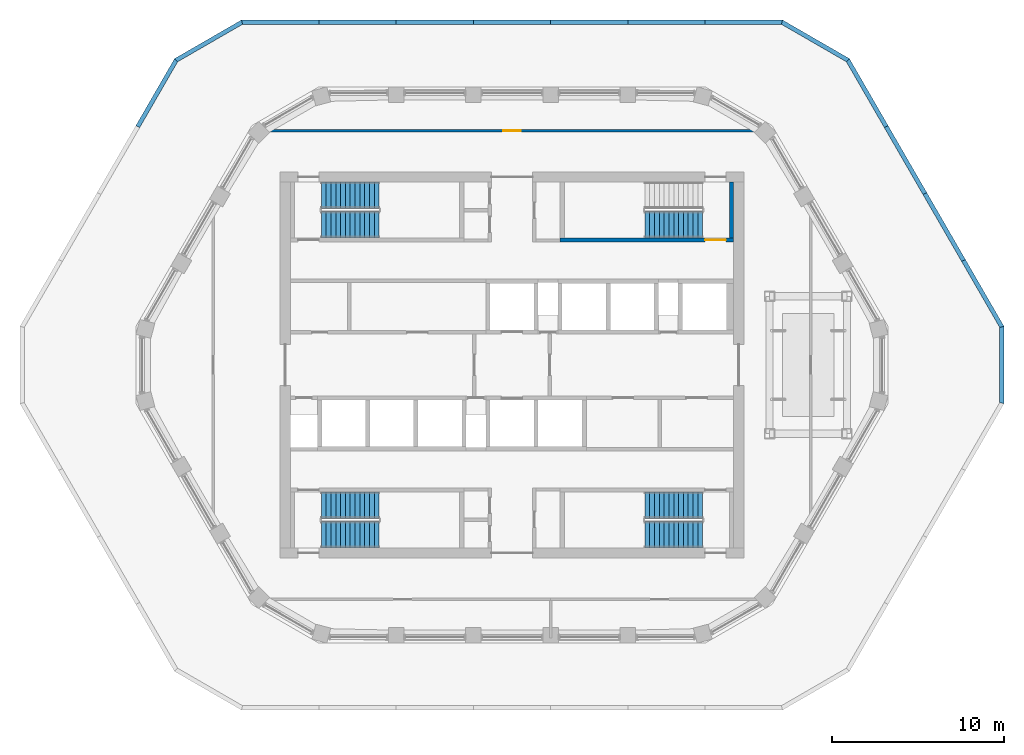
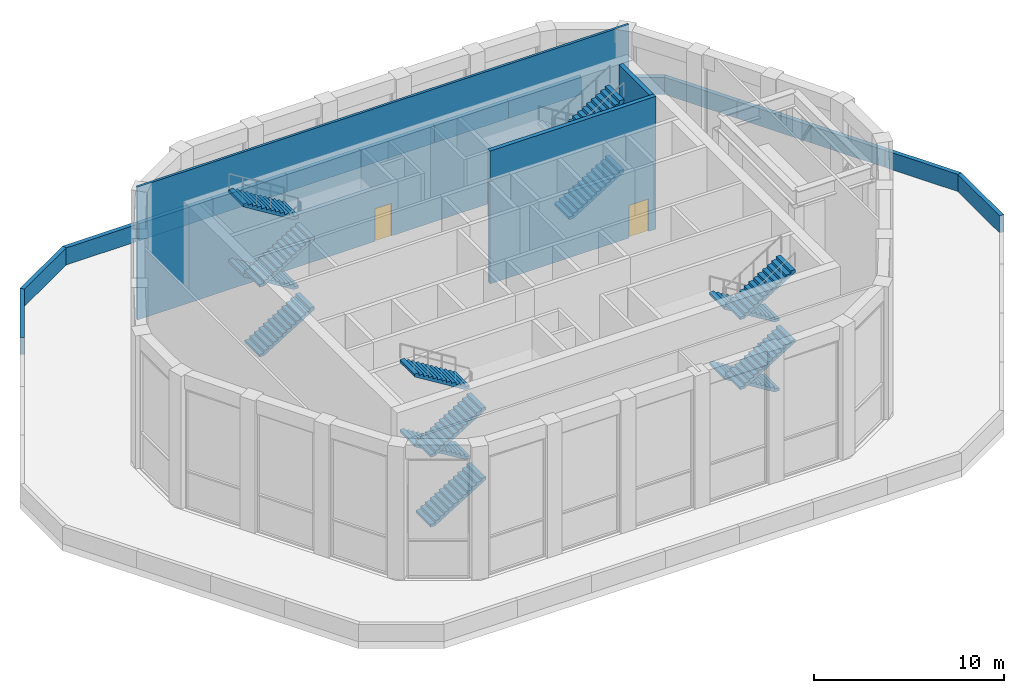
# One storey, part 8 of 11: 18 walls, 14 stair flights, 2 doors, 2 openings, 4 elements without a shape of their own.
"""IFC4 building model written with IfcOpenShell, lengths in metres."""

from ifc_helpers import new_model, si_unit, direction, frame, frame_2d, origin, place, context, subcontext, project, spatial, polyline, rectangle, outline, extrude, material, layer, layer_set, type_object, element, fill, aggregate, save


model = new_model("IFC4")

# Units and contexts
model_context = context("Model", 3, precision=1e-05, world=origin(), true_north=direction((0.0, 1.0)))
body_context = subcontext(model_context, "Body", "Model", "MODEL_VIEW")
ifc_project = project(units=[si_unit("LENGTHUNIT", "METRE"), si_unit("AREAUNIT", "SQUARE_METRE"), si_unit("VOLUMEUNIT", "CUBIC_METRE"), si_unit("PLANEANGLEUNIT", "RADIAN"), si_unit("MASSUNIT", "GRAM", prefix="KILO")], contexts=[model_context])

# Site, building, storey
site_placement = place(None, origin())
site = spatial("IfcSite", under=ifc_project, at=site_placement, CompositionType="ELEMENT")
building_placement = place(site_placement, origin())
building = spatial("IfcBuilding", under=site, at=building_placement, Name="Dhurran Vertical Campus", CompositionType="ELEMENT")
storey_placement = place(building_placement, frame((0.0, 0.0, 309.89990234375)))
storey = spatial("IfcBuildingStorey", under=building, at=storey_placement, Name="L77 Damper Plant", CompositionType="ELEMENT", Elevation=309.89990234375)

# Walls
ifc_material_1 = material(Name="Precast concrete C50/60", Category="concrete")
ifc_layer_1 = layer(ifc_material_1, 0.25)
ifc_layer_set_1 = layer_set([ifc_layer_1], Name="Precast concrete C50/60")
wall_type_1 = type_object("IfcWallType", Name="Precast parapet 250", PredefinedType="PARAPET", material=ifc_layer_set_1)
wall_1_placement = place(storey_placement, origin())
element("IfcWall", 1, at=wall_1_placement, inside=storey, type_object=wall_type_1, Name="PW1 L77.12", PredefinedType="PARAPET", context=body_context, shape_type="SweptSolid", body=[
    extrude(outline(polyline([(28.647216796875, -2.25), (28.647216796875, 2.25), (28.397216796875, 2.18310546875), (28.397216796875, -2.18310546875), (28.647216796875, -2.25)])), origin(), (0.0, 0.0, 1.0), 1.10009765625),
])
wall_2_placement = place(storey_placement, origin())
element("IfcWall", 2, at=wall_2_placement, inside=storey, type_object=wall_type_1, Name="PW1 L77.13", PredefinedType="PARAPET", context=body_context, shape_type="SweptSolid", body=[
    extrude(outline(polyline([(28.647216796875, 2.25), (26.397216796875, 6.147216796875), (26.1806640625, 6.022216796875), (28.397216796875, 2.18310546875), (28.647216796875, 2.25)])), origin(), (0.0, 0.0, 1.0), 1.10009765625),
])
wall_3_placement = place(storey_placement, origin())
element("IfcWall", 3, at=wall_3_placement, inside=storey, type_object=wall_type_1, Name="PW1 L77.14", PredefinedType="PARAPET", context=body_context, shape_type="SweptSolid", body=[
    extrude(outline(polyline([(26.397216796875, 6.147216796875), (24.147216796875, 10.044189453125), (23.9306640625, 9.919189453125), (26.1806640625, 6.022216796875), (26.397216796875, 6.147216796875)])), origin(), (0.0, 0.0, 1.0), 1.10009765625),
])
wall_4_placement = place(storey_placement, origin())
element("IfcWall", 4, at=wall_4_placement, inside=storey, type_object=wall_type_1, Name="PW1 L77.15", PredefinedType="PARAPET", context=body_context, shape_type="SweptSolid", body=[
    extrude(outline(polyline([(24.147216796875, 10.044189453125), (21.897216796875, 13.94140625), (21.6806640625, 13.81640625), (23.9306640625, 9.919189453125), (24.147216796875, 10.044189453125)])), origin(), (0.0, 0.0, 1.0), 1.10009765625),
])
wall_5_placement = place(storey_placement, origin())
element("IfcWall", 5, at=wall_5_placement, inside=storey, type_object=wall_type_1, Name="PW1 L77.16", PredefinedType="PARAPET", context=body_context, shape_type="SweptSolid", body=[
    extrude(outline(polyline([(21.897216796875, 13.94140625), (19.647216796875, 17.83837890625), (19.464111328125, 17.655517578125), (21.6806640625, 13.81640625), (21.897216796875, 13.94140625)])), origin(), (0.0, 0.0, 1.0), 1.10009765625),
])
wall_6_placement = place(storey_placement, origin())
element("IfcWall", 6, at=wall_6_placement, inside=storey, type_object=wall_type_1, Name="PW1 L77.17", PredefinedType="PARAPET", context=body_context, shape_type="SweptSolid", body=[
    extrude(outline(polyline([(19.647216796875, 17.83837890625), (15.75, 20.08837890625), (15.68310546875, 19.83837890625), (19.464111328125, 17.655517578125), (19.647216796875, 17.83837890625)])), origin(), (0.0, 0.0, 1.0), 1.10009765625),
])
wall_7_placement = place(storey_placement, origin())
element("IfcWall", 7, at=wall_7_placement, inside=storey, type_object=wall_type_1, Name="PW1 L77.18", PredefinedType="PARAPET", context=body_context, shape_type="SweptSolid", body=[
    extrude(outline(polyline([(15.75, 20.08837890625), (11.25, 20.08837890625), (11.25, 19.83837890625), (15.68310546875, 19.83837890625), (15.75, 20.08837890625)])), origin(), (0.0, 0.0, 1.0), 1.10009765625),
])
wall_8_placement = place(storey_placement, origin())
element("IfcWall", 8, at=wall_8_placement, inside=storey, type_object=wall_type_1, Name="PW1 L77.19", PredefinedType="PARAPET", context=body_context, shape_type="SweptSolid", body=[
    extrude(outline(polyline([(11.25, 20.08837890625), (6.75, 20.08837890625), (6.75, 19.83837890625), (11.25, 19.83837890625), (11.25, 20.08837890625)])), origin(), (0.0, 0.0, 1.0), 1.10009765625),
])
wall_9_placement = place(storey_placement, origin())
element("IfcWall", 9, at=wall_9_placement, inside=storey, type_object=wall_type_1, Name="PW1 L77.20", PredefinedType="PARAPET", context=body_context, shape_type="SweptSolid", body=[
    extrude(outline(polyline([(6.75, 20.08837890625), (2.25, 20.08837890625), (2.25, 19.83837890625), (6.75, 19.83837890625), (6.75, 20.08837890625)])), origin(), (0.0, 0.0, 1.0), 1.10009765625),
])
wall_10_placement = place(storey_placement, origin())
element("IfcWall", 10, at=wall_10_placement, inside=storey, type_object=wall_type_1, Name="PW1 L77.21", PredefinedType="PARAPET", context=body_context, shape_type="SweptSolid", body=[
    extrude(outline(polyline([(2.25, 20.08837890625), (-2.25, 20.08837890625), (-2.25, 19.83837890625), (2.25, 19.83837890625), (2.25, 20.08837890625)])), origin(), (0.0, 0.0, 1.0), 1.10009765625),
])
wall_11_placement = place(storey_placement, origin())
element("IfcWall", 11, at=wall_11_placement, inside=storey, type_object=wall_type_1, Name="PW1 L77.22", PredefinedType="PARAPET", context=body_context, shape_type="SweptSolid", body=[
    extrude(outline(polyline([(-2.25, 20.08837890625), (-6.75, 20.08837890625), (-6.75, 19.83837890625), (-2.25, 19.83837890625), (-2.25, 20.08837890625)])), origin(), (0.0, 0.0, 1.0), 1.10009765625),
])
wall_12_placement = place(storey_placement, origin())
element("IfcWall", 12, at=wall_12_placement, inside=storey, type_object=wall_type_1, Name="PW1 L77.23", PredefinedType="PARAPET", context=body_context, shape_type="SweptSolid", body=[
    extrude(outline(polyline([(-6.75, 20.08837890625), (-11.25, 20.08837890625), (-11.25, 19.83837890625), (-6.75, 19.83837890625), (-6.75, 20.08837890625)])), origin(), (0.0, 0.0, 1.0), 1.10009765625),
])
wall_13_placement = place(storey_placement, origin())
element("IfcWall", 13, at=wall_13_placement, inside=storey, type_object=wall_type_1, Name="PW1 L77.24", PredefinedType="PARAPET", context=body_context, shape_type="SweptSolid", body=[
    extrude(outline(polyline([(-11.25, 20.08837890625), (-15.75, 20.08837890625), (-15.68310546875, 19.83837890625), (-11.25, 19.83837890625), (-11.25, 20.08837890625)])), origin(), (0.0, 0.0, 1.0), 1.10009765625),
])
wall_14_placement = place(storey_placement, origin())
element("IfcWall", 14, at=wall_14_placement, inside=storey, type_object=wall_type_1, Name="PW1 L77.25", PredefinedType="PARAPET", context=body_context, shape_type="SweptSolid", body=[
    extrude(outline(polyline([(-15.75, 20.08837890625), (-19.647216796875, 17.83837890625), (-19.464111328125, 17.655517578125), (-15.68310546875, 19.83837890625), (-15.75, 20.08837890625)])), origin(), (0.0, 0.0, 1.0), 1.10009765625),
])
wall_15_placement = place(storey_placement, origin())
element("IfcWall", 15, at=wall_15_placement, inside=storey, type_object=wall_type_1, Name="PW1 L77.26", PredefinedType="PARAPET", context=body_context, shape_type="SweptSolid", body=[
    extrude(outline(polyline([(-19.647216796875, 17.83837890625), (-21.897216796875, 13.94140625), (-21.6806640625, 13.81640625), (-19.464111328125, 17.655517578125), (-19.647216796875, 17.83837890625)])), origin(), (0.0, 0.0, 1.0), 1.10009765625),
])

# Wall, opening, door
ifc_material_2 = material(Name="Concrete C40/50", Category="concrete")
ifc_layer_2 = layer(ifc_material_2, 0.25)
ifc_layer_set_2 = layer_set([ifc_layer_2], Name="Concrete C40/50")
wall_type_2 = type_object("IfcWallType", Name="co-STAIR-WALL-250", PredefinedType="SHEAR", material=ifc_layer_set_2)
wall_16_placement = place(storey_placement, frame((2.800048828125, 7.27490234375, 0.0), z_axis=(0.0, 0.0, 1.0), x_axis=(1.0, 0.0, 0.0)))
wall_16 = element("IfcWall", 16, at=wall_16_placement, inside=storey, type_object=wall_type_2, Name="Stair ST2 enclosure wall L77", PredefinedType="SHEAR", context=body_context, shape_type="SweptSolid", body=[
    extrude(rectangle(XDim=10.099853515625, YDim=0.25, at=frame_2d((5.0498046875, 0.0))), origin(), (0.0, 0.0, 1.0), 8.550048828125),
])
opening_1_placement = place(wall_16_placement, frame((8.449951171875, 0.0, 0.0)))
opening_1 = element("IfcOpeningElement", 17, at=opening_1_placement, cuts=wall_16, Name="Opening SD2", PredefinedType="OPENING", context=body_context, shape_type="SweptSolid", body=[
    extrude(rectangle(XDim=1.199951171875, YDim=2.10009765625, at=frame_2d((0.60009765625, 1.050048828125))), frame((0.0, 0.135009765625, 0.0), z_axis=(0.0, -1.0, 0.0), x_axis=(1.0, 0.0, 0.0)), (0.0, 0.0, 1.0), 0.27001953125),
])
ifc_material_3 = material(Name="Fire-rated steel door set", Category="steel")
door_type_1 = type_object("IfcDoorType", Name="co-D-STAIR 1200x2100", OperationType="SINGLE_SWING_LEFT", PredefinedType="DOOR", material=ifc_material_3)
door_1_placement = place(opening_1_placement, origin())
door_1 = element("IfcDoor", 18, at=door_1_placement, inside=storey, type_object=door_type_1, Name="Stair ST2 door L77", OperationType="SINGLE_SWING_LEFT", OverallHeight=2.10009765625, OverallWidth=1.199951171875, PredefinedType="DOOR", context=body_context, shape_type="SweptSolid", body=[
    extrude(rectangle(XDim=1.199951171875, YDim=2.10009765625, at=frame_2d((0.60009765625, 1.050048828125))), frame((0.0, 0.02490234375, 0.0), z_axis=(0.0, -1.0, 0.0), x_axis=(1.0, 0.0, 0.0)), (0.0, 0.0, 1.0), 0.050048828125),
])
fill(opening_1, door_1)

# Wall
wall_17_placement = place(storey_placement, frame((12.77490234375, 7.39990234375, 0.0), z_axis=(0.0, 0.0, 1.0), x_axis=(0.0, 1.0, 0.0)))
element("IfcWall", 19, at=wall_17_placement, inside=storey, type_object=wall_type_2, Name="Stair ST2 enclosure wall L77", PredefinedType="SHEAR", context=body_context, shape_type="SweptSolid", body=[
    extrude(rectangle(XDim=3.25, YDim=0.25, at=frame_2d((1.625, 0.0))), origin(), (0.0, 0.0, 1.0), 8.550048828125),
])

# Wall, opening, door
ifc_material_4 = material(Name="Gypsum board corridor wall on steel studs", Category="steel")
ifc_layer_3 = layer(ifc_material_4, 0.14990234375)
ifc_layer_set_3 = layer_set([ifc_layer_3], Name="Gypsum board corridor wall on steel studs")
wall_type_3 = type_object("IfcWallType", Name="fl-CW-150 corridor wall", PredefinedType="PARTITIONING", material=ifc_layer_set_3)
wall_18_placement = place(storey_placement, frame((14.968994140625, 13.64990234375, 0.0), z_axis=(0.0, 0.0, 1.0), x_axis=(-1.0, 0.0, 0.0)))
wall_18 = element("IfcWall", 20, at=wall_18_placement, inside=storey, type_object=wall_type_3, Name="Partition 77-03", PredefinedType="PARTITIONING", context=body_context, shape_type="SweptSolid", body=[
    extrude(rectangle(XDim=29.93798828125, YDim=0.14990234375, at=frame_2d((14.968994140625, 0.0))), origin(), (0.0, 0.0, 1.0), 8.550048828125),
])
opening_2_placement = place(wall_18_placement, frame((14.468994140625, 0.0, 0.0)))
opening_2 = element("IfcOpeningElement", 21, at=opening_2_placement, cuts=wall_18, Name="Opening CR77.03", PredefinedType="OPENING", context=body_context, shape_type="SweptSolid", body=[
    extrude(rectangle(XDim=1.0, YDim=2.10009765625, at=frame_2d((0.5, 1.050048828125))), frame((0.0, 0.0849609375, 0.0), z_axis=(0.0, -1.0, 0.0), x_axis=(1.0, 0.0, 0.0)), (0.0, 0.0, 1.0), 0.169921875),
])
ifc_material_5 = material(Name="Solid-core timber door set, fire-rated", Category="wood")
door_type_2 = type_object("IfcDoorType", Name="fl-D-1000x2100", OperationType="SINGLE_SWING_LEFT", PredefinedType="DOOR", material=ifc_material_5)
door_2_placement = place(opening_2_placement, origin())
door_2 = element("IfcDoor", 22, at=door_2_placement, inside=storey, type_object=door_type_2, Name="Door 77.03", OperationType="SINGLE_SWING_LEFT", OverallHeight=2.10009765625, OverallWidth=1.0, PredefinedType="DOOR", context=body_context, shape_type="SweptSolid", body=[
    extrude(rectangle(XDim=1.0, YDim=2.10009765625, at=frame_2d((0.5, 1.050048828125))), frame((0.0, 0.02490234375, 0.0), z_axis=(0.0, -1.0, 0.0), x_axis=(1.0, 0.0, 0.0)), (0.0, 0.0, 1.0), 0.050048828125),
])
fill(opening_2, door_2)

# Stair, stair flights
ifc_material_6 = material(Name="Concrete C40/50", Category="concrete")
stair_type = type_object("IfcStairType", Name="co-ST-CORE", PredefinedType="HALF_TURN_STAIR", material=ifc_material_6)
stair_1_placement = place(storey_placement, origin())
stair_1 = element("IfcStair", 23, at=stair_1_placement, inside=storey, type_object=stair_type, Name="L77 Damper Plant Protected exit stair ST1", PredefinedType="HALF_TURN_STAIR")
ifc_material_7 = material(Name="Concrete C40/50", Category="concrete")
stair_flight_type = type_object("IfcStairFlightType", Name="co-SFL-RC", PredefinedType="STRAIGHT", material=ifc_material_7)
stair_flight_1_placement = place(storey_placement, frame((-11.10009765625, 8.175048828125, 0.0), z_axis=(0.0, 0.0, 1.0), x_axis=(1.0, 0.0, 0.0)))
stair_flight_1 = element("IfcStairFlight", 24, at=stair_flight_1_placement, type_object=stair_flight_type, Name="ST1 flight 1", NumberOfRisers=13, NumberOfTreads=12, PredefinedType="STRAIGHT", RiserHeight=0.173076923, TreadLength=0.28, context=body_context, shape_type="SweptSolid", body=[
    extrude(outline(polyline([(0.0, 0.0), (0.0, 0.173095703125), (0.280029296875, 0.173095703125), (0.280029296875, 0.34619140625), (0.56005859375, 0.34619140625), (0.56005859375, 0.519287109375), (0.840087890625, 0.519287109375), (0.840087890625, 0.6923828125), (1.1201171875, 0.6923828125), (1.1201171875, 0.865478515625), (1.39990234375, 0.865478515625), (1.39990234375, 1.03857421875), (1.679931640625, 1.03857421875), (1.679931640625, 1.21142578125), (1.9599609375, 1.21142578125), (1.9599609375, 1.384521484375), (2.239990234375, 1.384521484375), (2.239990234375, 1.5576171875), (2.52001953125, 1.5576171875), (2.52001953125, 1.730712890625), (2.800048828125, 1.730712890625), (2.800048828125, 1.90380859375), (3.080078125, 1.90380859375), (3.080078125, 2.076904296875), (3.360107421875, 2.076904296875), (3.360107421875, 2.25), (3.360107421875, 1.900634765625), (0.28515625, 0.0), (0.0, 0.0)])), frame((0.0, 0.77490234375, 0.0), z_axis=(0.0, -1.0, 0.0), x_axis=(1.0, 0.0, 0.0)), (0.0, 0.0, 1.0), 1.550048828125),
])
stair_flight_2_placement = place(storey_placement, frame((-7.739990234375, 9.875, 2.25), z_axis=(0.0, 0.0, 1.0), x_axis=(-1.0, 0.0, 0.0)))
stair_flight_2 = element("IfcStairFlight", 25, at=stair_flight_2_placement, type_object=stair_flight_type, Name="ST1 flight 2", NumberOfRisers=13, NumberOfTreads=12, PredefinedType="STRAIGHT", RiserHeight=0.173076923, TreadLength=0.28, context=body_context, shape_type="SweptSolid", body=[
    extrude(outline(polyline([(0.0, 0.0), (0.0, 0.173095703125), (0.280029296875, 0.173095703125), (0.280029296875, 0.34619140625), (0.56005859375, 0.34619140625), (0.56005859375, 0.519287109375), (0.840087890625, 0.519287109375), (0.840087890625, 0.6923828125), (1.1201171875, 0.6923828125), (1.1201171875, 0.865478515625), (1.39990234375, 0.865478515625), (1.39990234375, 1.03857421875), (1.679931640625, 1.03857421875), (1.679931640625, 1.21142578125), (1.9599609375, 1.21142578125), (1.9599609375, 1.384521484375), (2.239990234375, 1.384521484375), (2.239990234375, 1.5576171875), (2.52001953125, 1.5576171875), (2.52001953125, 1.730712890625), (2.800048828125, 1.730712890625), (2.800048828125, 1.90380859375), (3.080078125, 1.90380859375), (3.080078125, 2.076904296875), (3.360107421875, 2.076904296875), (3.360107421875, 2.25), (3.360107421875, 1.900634765625), (0.28515625, 0.0), (0.0, 0.0)])), frame((0.0, 0.77490234375, 0.0), z_axis=(0.0, -1.0, 0.0), x_axis=(1.0, 0.0, 0.0)), (0.0, 0.0, 1.0), 1.550048828125),
])
stair_flight_3_placement = place(storey_placement, frame((-11.10009765625, 8.175048828125, 4.5), z_axis=(0.0, 0.0, 1.0), x_axis=(1.0, 0.0, 0.0)))
stair_flight_3 = element("IfcStairFlight", 26, at=stair_flight_3_placement, type_object=stair_flight_type, Name="ST1 flight 3", NumberOfRisers=13, NumberOfTreads=12, PredefinedType="STRAIGHT", RiserHeight=0.173076923, TreadLength=0.28, context=body_context, shape_type="SweptSolid", body=[
    extrude(outline(polyline([(0.0, 0.0), (0.0, 0.173095703125), (0.280029296875, 0.173095703125), (0.280029296875, 0.34619140625), (0.56005859375, 0.34619140625), (0.56005859375, 0.519287109375), (0.840087890625, 0.519287109375), (0.840087890625, 0.6923828125), (1.1201171875, 0.6923828125), (1.1201171875, 0.865478515625), (1.39990234375, 0.865478515625), (1.39990234375, 1.03857421875), (1.679931640625, 1.03857421875), (1.679931640625, 1.21142578125), (1.9599609375, 1.21142578125), (1.9599609375, 1.384521484375), (2.239990234375, 1.384521484375), (2.239990234375, 1.5576171875), (2.52001953125, 1.5576171875), (2.52001953125, 1.730712890625), (2.800048828125, 1.730712890625), (2.800048828125, 1.90380859375), (3.080078125, 1.90380859375), (3.080078125, 2.076904296875), (3.360107421875, 2.076904296875), (3.360107421875, 2.25), (3.360107421875, 1.900634765625), (0.28515625, 0.0), (0.0, 0.0)])), frame((0.0, 0.77490234375, 0.0), z_axis=(0.0, -1.0, 0.0), x_axis=(1.0, 0.0, 0.0)), (0.0, 0.0, 1.0), 1.550048828125),
])
stair_flight_4_placement = place(storey_placement, frame((-7.739990234375, 9.875, 6.75), z_axis=(0.0, 0.0, 1.0), x_axis=(-1.0, 0.0, 0.0)))
stair_flight_4 = element("IfcStairFlight", 27, at=stair_flight_4_placement, type_object=stair_flight_type, Name="ST1 flight 4", NumberOfRisers=13, NumberOfTreads=12, PredefinedType="STRAIGHT", RiserHeight=0.173076923, TreadLength=0.28, context=body_context, shape_type="SweptSolid", body=[
    extrude(outline(polyline([(0.0, 0.0), (0.0, 0.173095703125), (0.280029296875, 0.173095703125), (0.280029296875, 0.34619140625), (0.56005859375, 0.34619140625), (0.56005859375, 0.519287109375), (0.840087890625, 0.519287109375), (0.840087890625, 0.6923828125), (1.1201171875, 0.6923828125), (1.1201171875, 0.865478515625), (1.39990234375, 0.865478515625), (1.39990234375, 1.03857421875), (1.679931640625, 1.03857421875), (1.679931640625, 1.21142578125), (1.9599609375, 1.21142578125), (1.9599609375, 1.384521484375), (2.239990234375, 1.384521484375), (2.239990234375, 1.5576171875), (2.52001953125, 1.5576171875), (2.52001953125, 1.730712890625), (2.800048828125, 1.730712890625), (2.800048828125, 1.90380859375), (3.080078125, 1.90380859375), (3.080078125, 2.076904296875), (3.360107421875, 2.076904296875), (3.360107421875, 2.25), (3.360107421875, 1.900634765625), (0.28515625, 0.0), (0.0, 0.0)])), frame((0.0, 0.77490234375, 0.0), z_axis=(0.0, -1.0, 0.0), x_axis=(1.0, 0.0, 0.0)), (0.0, 0.0, 1.0), 1.550048828125),
])
aggregate(stair_1, [stair_flight_1, stair_flight_2, stair_flight_3, stair_flight_4])

stair_2_placement = place(storey_placement, origin())
stair_2 = element("IfcStair", 28, at=stair_2_placement, inside=storey, type_object=stair_type, Name="L77 Damper Plant Protected exit stair ST2", PredefinedType="HALF_TURN_STAIR")
stair_flight_5_placement = place(storey_placement, frame((7.739990234375, 8.175048828125, 2.25), z_axis=(0.0, 0.0, 1.0), x_axis=(1.0, 0.0, 0.0)))
stair_flight_5 = element("IfcStairFlight", 29, at=stair_flight_5_placement, type_object=stair_flight_type, Name="ST2 flight 2", NumberOfRisers=13, NumberOfTreads=12, PredefinedType="STRAIGHT", RiserHeight=0.173076923, TreadLength=0.28, context=body_context, shape_type="SweptSolid", body=[
    extrude(outline(polyline([(0.0, 0.0), (0.0, 0.173095703125), (0.280029296875, 0.173095703125), (0.280029296875, 0.34619140625), (0.56005859375, 0.34619140625), (0.56005859375, 0.519287109375), (0.840087890625, 0.519287109375), (0.840087890625, 0.6923828125), (1.1201171875, 0.6923828125), (1.1201171875, 0.865478515625), (1.39990234375, 0.865478515625), (1.39990234375, 1.03857421875), (1.679931640625, 1.03857421875), (1.679931640625, 1.21142578125), (1.9599609375, 1.21142578125), (1.9599609375, 1.384521484375), (2.239990234375, 1.384521484375), (2.239990234375, 1.5576171875), (2.52001953125, 1.5576171875), (2.52001953125, 1.730712890625), (2.800048828125, 1.730712890625), (2.800048828125, 1.90380859375), (3.080078125, 1.90380859375), (3.080078125, 2.076904296875), (3.360107421875, 2.076904296875), (3.360107421875, 2.25), (3.360107421875, 1.900634765625), (0.28515625, 0.0), (0.0, 0.0)])), frame((0.0, 0.77490234375, 0.0), z_axis=(0.0, -1.0, 0.0), x_axis=(1.0, 0.0, 0.0)), (0.0, 0.0, 1.0), 1.550048828125),
])
stair_flight_6_placement = place(storey_placement, frame((7.739990234375, 8.175048828125, 6.75), z_axis=(0.0, 0.0, 1.0), x_axis=(1.0, 0.0, 0.0)))
stair_flight_6 = element("IfcStairFlight", 30, at=stair_flight_6_placement, type_object=stair_flight_type, Name="ST2 flight 4", NumberOfRisers=13, NumberOfTreads=12, PredefinedType="STRAIGHT", RiserHeight=0.173076923, TreadLength=0.28, context=body_context, shape_type="SweptSolid", body=[
    extrude(outline(polyline([(0.0, 0.0), (0.0, 0.173095703125), (0.280029296875, 0.173095703125), (0.280029296875, 0.34619140625), (0.56005859375, 0.34619140625), (0.56005859375, 0.519287109375), (0.840087890625, 0.519287109375), (0.840087890625, 0.6923828125), (1.1201171875, 0.6923828125), (1.1201171875, 0.865478515625), (1.39990234375, 0.865478515625), (1.39990234375, 1.03857421875), (1.679931640625, 1.03857421875), (1.679931640625, 1.21142578125), (1.9599609375, 1.21142578125), (1.9599609375, 1.384521484375), (2.239990234375, 1.384521484375), (2.239990234375, 1.5576171875), (2.52001953125, 1.5576171875), (2.52001953125, 1.730712890625), (2.800048828125, 1.730712890625), (2.800048828125, 1.90380859375), (3.080078125, 1.90380859375), (3.080078125, 2.076904296875), (3.360107421875, 2.076904296875), (3.360107421875, 2.25), (3.360107421875, 1.900634765625), (0.28515625, 0.0), (0.0, 0.0)])), frame((0.0, 0.77490234375, 0.0), z_axis=(0.0, -1.0, 0.0), x_axis=(1.0, 0.0, 0.0)), (0.0, 0.0, 1.0), 1.550048828125),
])
aggregate(stair_2, [stair_flight_5, stair_flight_6])

stair_3_placement = place(storey_placement, origin())
stair_3 = element("IfcStair", 31, at=stair_3_placement, inside=storey, type_object=stair_type, Name="L77 Damper Plant Protected exit stair ST3", PredefinedType="HALF_TURN_STAIR")
stair_flight_7_placement = place(storey_placement, frame((-11.10009765625, -9.875, 0.0), z_axis=(0.0, 0.0, 1.0), x_axis=(1.0, 0.0, 0.0)))
stair_flight_7 = element("IfcStairFlight", 32, at=stair_flight_7_placement, type_object=stair_flight_type, Name="ST3 flight 1", NumberOfRisers=13, NumberOfTreads=12, PredefinedType="STRAIGHT", RiserHeight=0.173076923, TreadLength=0.28, context=body_context, shape_type="SweptSolid", body=[
    extrude(outline(polyline([(0.0, 0.0), (0.0, 0.173095703125), (0.280029296875, 0.173095703125), (0.280029296875, 0.34619140625), (0.56005859375, 0.34619140625), (0.56005859375, 0.519287109375), (0.840087890625, 0.519287109375), (0.840087890625, 0.6923828125), (1.1201171875, 0.6923828125), (1.1201171875, 0.865478515625), (1.39990234375, 0.865478515625), (1.39990234375, 1.03857421875), (1.679931640625, 1.03857421875), (1.679931640625, 1.21142578125), (1.9599609375, 1.21142578125), (1.9599609375, 1.384521484375), (2.239990234375, 1.384521484375), (2.239990234375, 1.5576171875), (2.52001953125, 1.5576171875), (2.52001953125, 1.730712890625), (2.800048828125, 1.730712890625), (2.800048828125, 1.90380859375), (3.080078125, 1.90380859375), (3.080078125, 2.076904296875), (3.360107421875, 2.076904296875), (3.360107421875, 2.25), (3.360107421875, 1.900634765625), (0.28515625, 0.0), (0.0, 0.0)])), frame((0.0, 0.77490234375, 0.0), z_axis=(0.0, -1.0, 0.0), x_axis=(1.0, 0.0, 0.0)), (0.0, 0.0, 1.0), 1.550048828125),
])
stair_flight_8_placement = place(storey_placement, frame((-7.739990234375, -8.175048828125, 2.25), z_axis=(0.0, 0.0, 1.0), x_axis=(-1.0, 0.0, 0.0)))
stair_flight_8 = element("IfcStairFlight", 33, at=stair_flight_8_placement, type_object=stair_flight_type, Name="ST3 flight 2", NumberOfRisers=13, NumberOfTreads=12, PredefinedType="STRAIGHT", RiserHeight=0.173076923, TreadLength=0.28, context=body_context, shape_type="SweptSolid", body=[
    extrude(outline(polyline([(0.0, 0.0), (0.0, 0.173095703125), (0.280029296875, 0.173095703125), (0.280029296875, 0.34619140625), (0.56005859375, 0.34619140625), (0.56005859375, 0.519287109375), (0.840087890625, 0.519287109375), (0.840087890625, 0.6923828125), (1.1201171875, 0.6923828125), (1.1201171875, 0.865478515625), (1.39990234375, 0.865478515625), (1.39990234375, 1.03857421875), (1.679931640625, 1.03857421875), (1.679931640625, 1.21142578125), (1.9599609375, 1.21142578125), (1.9599609375, 1.384521484375), (2.239990234375, 1.384521484375), (2.239990234375, 1.5576171875), (2.52001953125, 1.5576171875), (2.52001953125, 1.730712890625), (2.800048828125, 1.730712890625), (2.800048828125, 1.90380859375), (3.080078125, 1.90380859375), (3.080078125, 2.076904296875), (3.360107421875, 2.076904296875), (3.360107421875, 2.25), (3.360107421875, 1.900634765625), (0.28515625, 0.0), (0.0, 0.0)])), frame((0.0, 0.77490234375, 0.0), z_axis=(0.0, -1.0, 0.0), x_axis=(1.0, 0.0, 0.0)), (0.0, 0.0, 1.0), 1.550048828125),
])
stair_flight_9_placement = place(storey_placement, frame((-11.10009765625, -9.875, 4.5), z_axis=(0.0, 0.0, 1.0), x_axis=(1.0, 0.0, 0.0)))
stair_flight_9 = element("IfcStairFlight", 34, at=stair_flight_9_placement, type_object=stair_flight_type, Name="ST3 flight 3", NumberOfRisers=13, NumberOfTreads=12, PredefinedType="STRAIGHT", RiserHeight=0.173076923, TreadLength=0.28, context=body_context, shape_type="SweptSolid", body=[
    extrude(outline(polyline([(0.0, 0.0), (0.0, 0.173095703125), (0.280029296875, 0.173095703125), (0.280029296875, 0.34619140625), (0.56005859375, 0.34619140625), (0.56005859375, 0.519287109375), (0.840087890625, 0.519287109375), (0.840087890625, 0.6923828125), (1.1201171875, 0.6923828125), (1.1201171875, 0.865478515625), (1.39990234375, 0.865478515625), (1.39990234375, 1.03857421875), (1.679931640625, 1.03857421875), (1.679931640625, 1.21142578125), (1.9599609375, 1.21142578125), (1.9599609375, 1.384521484375), (2.239990234375, 1.384521484375), (2.239990234375, 1.5576171875), (2.52001953125, 1.5576171875), (2.52001953125, 1.730712890625), (2.800048828125, 1.730712890625), (2.800048828125, 1.90380859375), (3.080078125, 1.90380859375), (3.080078125, 2.076904296875), (3.360107421875, 2.076904296875), (3.360107421875, 2.25), (3.360107421875, 1.900634765625), (0.28515625, 0.0), (0.0, 0.0)])), frame((0.0, 0.77490234375, 0.0), z_axis=(0.0, -1.0, 0.0), x_axis=(1.0, 0.0, 0.0)), (0.0, 0.0, 1.0), 1.550048828125),
])
stair_flight_10_placement = place(storey_placement, frame((-7.739990234375, -8.175048828125, 6.75), z_axis=(0.0, 0.0, 1.0), x_axis=(-1.0, 0.0, 0.0)))
stair_flight_10 = element("IfcStairFlight", 35, at=stair_flight_10_placement, type_object=stair_flight_type, Name="ST3 flight 4", NumberOfRisers=13, NumberOfTreads=12, PredefinedType="STRAIGHT", RiserHeight=0.173076923, TreadLength=0.28, context=body_context, shape_type="SweptSolid", body=[
    extrude(outline(polyline([(0.0, 0.0), (0.0, 0.173095703125), (0.280029296875, 0.173095703125), (0.280029296875, 0.34619140625), (0.56005859375, 0.34619140625), (0.56005859375, 0.519287109375), (0.840087890625, 0.519287109375), (0.840087890625, 0.6923828125), (1.1201171875, 0.6923828125), (1.1201171875, 0.865478515625), (1.39990234375, 0.865478515625), (1.39990234375, 1.03857421875), (1.679931640625, 1.03857421875), (1.679931640625, 1.21142578125), (1.9599609375, 1.21142578125), (1.9599609375, 1.384521484375), (2.239990234375, 1.384521484375), (2.239990234375, 1.5576171875), (2.52001953125, 1.5576171875), (2.52001953125, 1.730712890625), (2.800048828125, 1.730712890625), (2.800048828125, 1.90380859375), (3.080078125, 1.90380859375), (3.080078125, 2.076904296875), (3.360107421875, 2.076904296875), (3.360107421875, 2.25), (3.360107421875, 1.900634765625), (0.28515625, 0.0), (0.0, 0.0)])), frame((0.0, 0.77490234375, 0.0), z_axis=(0.0, -1.0, 0.0), x_axis=(1.0, 0.0, 0.0)), (0.0, 0.0, 1.0), 1.550048828125),
])
aggregate(stair_3, [stair_flight_7, stair_flight_8, stair_flight_9, stair_flight_10])

stair_4_placement = place(storey_placement, origin())
stair_4 = element("IfcStair", 36, at=stair_4_placement, inside=storey, type_object=stair_type, Name="L77 Damper Plant Protected exit stair ST4", PredefinedType="HALF_TURN_STAIR")
stair_flight_11_placement = place(storey_placement, frame((11.10009765625, -8.175048828125, 0.0), z_axis=(0.0, 0.0, 1.0), x_axis=(-1.0, 0.0, 0.0)))
stair_flight_11 = element("IfcStairFlight", 37, at=stair_flight_11_placement, type_object=stair_flight_type, Name="ST4 flight 1", NumberOfRisers=13, NumberOfTreads=12, PredefinedType="STRAIGHT", RiserHeight=0.173076923, TreadLength=0.28, context=body_context, shape_type="SweptSolid", body=[
    extrude(outline(polyline([(0.0, 0.0), (0.0, 0.173095703125), (0.280029296875, 0.173095703125), (0.280029296875, 0.34619140625), (0.56005859375, 0.34619140625), (0.56005859375, 0.519287109375), (0.840087890625, 0.519287109375), (0.840087890625, 0.6923828125), (1.1201171875, 0.6923828125), (1.1201171875, 0.865478515625), (1.39990234375, 0.865478515625), (1.39990234375, 1.03857421875), (1.679931640625, 1.03857421875), (1.679931640625, 1.21142578125), (1.9599609375, 1.21142578125), (1.9599609375, 1.384521484375), (2.239990234375, 1.384521484375), (2.239990234375, 1.5576171875), (2.52001953125, 1.5576171875), (2.52001953125, 1.730712890625), (2.800048828125, 1.730712890625), (2.800048828125, 1.90380859375), (3.080078125, 1.90380859375), (3.080078125, 2.076904296875), (3.360107421875, 2.076904296875), (3.360107421875, 2.25), (3.360107421875, 1.900634765625), (0.28515625, 0.0), (0.0, 0.0)])), frame((0.0, 0.77490234375, 0.0), z_axis=(0.0, -1.0, 0.0), x_axis=(1.0, 0.0, 0.0)), (0.0, 0.0, 1.0), 1.550048828125),
])
stair_flight_12_placement = place(storey_placement, frame((7.739990234375, -9.875, 2.25), z_axis=(0.0, 0.0, 1.0), x_axis=(1.0, 0.0, 0.0)))
stair_flight_12 = element("IfcStairFlight", 38, at=stair_flight_12_placement, type_object=stair_flight_type, Name="ST4 flight 2", NumberOfRisers=13, NumberOfTreads=12, PredefinedType="STRAIGHT", RiserHeight=0.173076923, TreadLength=0.28, context=body_context, shape_type="SweptSolid", body=[
    extrude(outline(polyline([(0.0, 0.0), (0.0, 0.173095703125), (0.280029296875, 0.173095703125), (0.280029296875, 0.34619140625), (0.56005859375, 0.34619140625), (0.56005859375, 0.519287109375), (0.840087890625, 0.519287109375), (0.840087890625, 0.6923828125), (1.1201171875, 0.6923828125), (1.1201171875, 0.865478515625), (1.39990234375, 0.865478515625), (1.39990234375, 1.03857421875), (1.679931640625, 1.03857421875), (1.679931640625, 1.21142578125), (1.9599609375, 1.21142578125), (1.9599609375, 1.384521484375), (2.239990234375, 1.384521484375), (2.239990234375, 1.5576171875), (2.52001953125, 1.5576171875), (2.52001953125, 1.730712890625), (2.800048828125, 1.730712890625), (2.800048828125, 1.90380859375), (3.080078125, 1.90380859375), (3.080078125, 2.076904296875), (3.360107421875, 2.076904296875), (3.360107421875, 2.25), (3.360107421875, 1.900634765625), (0.28515625, 0.0), (0.0, 0.0)])), frame((0.0, 0.77490234375, 0.0), z_axis=(0.0, -1.0, 0.0), x_axis=(1.0, 0.0, 0.0)), (0.0, 0.0, 1.0), 1.550048828125),
])
stair_flight_13_placement = place(storey_placement, frame((11.10009765625, -8.175048828125, 4.5), z_axis=(0.0, 0.0, 1.0), x_axis=(-1.0, 0.0, 0.0)))
stair_flight_13 = element("IfcStairFlight", 39, at=stair_flight_13_placement, type_object=stair_flight_type, Name="ST4 flight 3", NumberOfRisers=13, NumberOfTreads=12, PredefinedType="STRAIGHT", RiserHeight=0.173076923, TreadLength=0.28, context=body_context, shape_type="SweptSolid", body=[
    extrude(outline(polyline([(0.0, 0.0), (0.0, 0.173095703125), (0.280029296875, 0.173095703125), (0.280029296875, 0.34619140625), (0.56005859375, 0.34619140625), (0.56005859375, 0.519287109375), (0.840087890625, 0.519287109375), (0.840087890625, 0.6923828125), (1.1201171875, 0.6923828125), (1.1201171875, 0.865478515625), (1.39990234375, 0.865478515625), (1.39990234375, 1.03857421875), (1.679931640625, 1.03857421875), (1.679931640625, 1.21142578125), (1.9599609375, 1.21142578125), (1.9599609375, 1.384521484375), (2.239990234375, 1.384521484375), (2.239990234375, 1.5576171875), (2.52001953125, 1.5576171875), (2.52001953125, 1.730712890625), (2.800048828125, 1.730712890625), (2.800048828125, 1.90380859375), (3.080078125, 1.90380859375), (3.080078125, 2.076904296875), (3.360107421875, 2.076904296875), (3.360107421875, 2.25), (3.360107421875, 1.900634765625), (0.28515625, 0.0), (0.0, 0.0)])), frame((0.0, 0.77490234375, 0.0), z_axis=(0.0, -1.0, 0.0), x_axis=(1.0, 0.0, 0.0)), (0.0, 0.0, 1.0), 1.550048828125),
])
stair_flight_14_placement = place(storey_placement, frame((7.739990234375, -9.875, 6.75), z_axis=(0.0, 0.0, 1.0), x_axis=(1.0, 0.0, 0.0)))
stair_flight_14 = element("IfcStairFlight", 40, at=stair_flight_14_placement, type_object=stair_flight_type, Name="ST4 flight 4", NumberOfRisers=13, NumberOfTreads=12, PredefinedType="STRAIGHT", RiserHeight=0.173076923, TreadLength=0.28, context=body_context, shape_type="SweptSolid", body=[
    extrude(outline(polyline([(0.0, 0.0), (0.0, 0.173095703125), (0.280029296875, 0.173095703125), (0.280029296875, 0.34619140625), (0.56005859375, 0.34619140625), (0.56005859375, 0.519287109375), (0.840087890625, 0.519287109375), (0.840087890625, 0.6923828125), (1.1201171875, 0.6923828125), (1.1201171875, 0.865478515625), (1.39990234375, 0.865478515625), (1.39990234375, 1.03857421875), (1.679931640625, 1.03857421875), (1.679931640625, 1.21142578125), (1.9599609375, 1.21142578125), (1.9599609375, 1.384521484375), (2.239990234375, 1.384521484375), (2.239990234375, 1.5576171875), (2.52001953125, 1.5576171875), (2.52001953125, 1.730712890625), (2.800048828125, 1.730712890625), (2.800048828125, 1.90380859375), (3.080078125, 1.90380859375), (3.080078125, 2.076904296875), (3.360107421875, 2.076904296875), (3.360107421875, 2.25), (3.360107421875, 1.900634765625), (0.28515625, 0.0), (0.0, 0.0)])), frame((0.0, 0.77490234375, 0.0), z_axis=(0.0, -1.0, 0.0), x_axis=(1.0, 0.0, 0.0)), (0.0, 0.0, 1.0), 1.550048828125),
])
aggregate(stair_4, [stair_flight_11, stair_flight_12, stair_flight_13, stair_flight_14])

save(model, "model.ifc")
